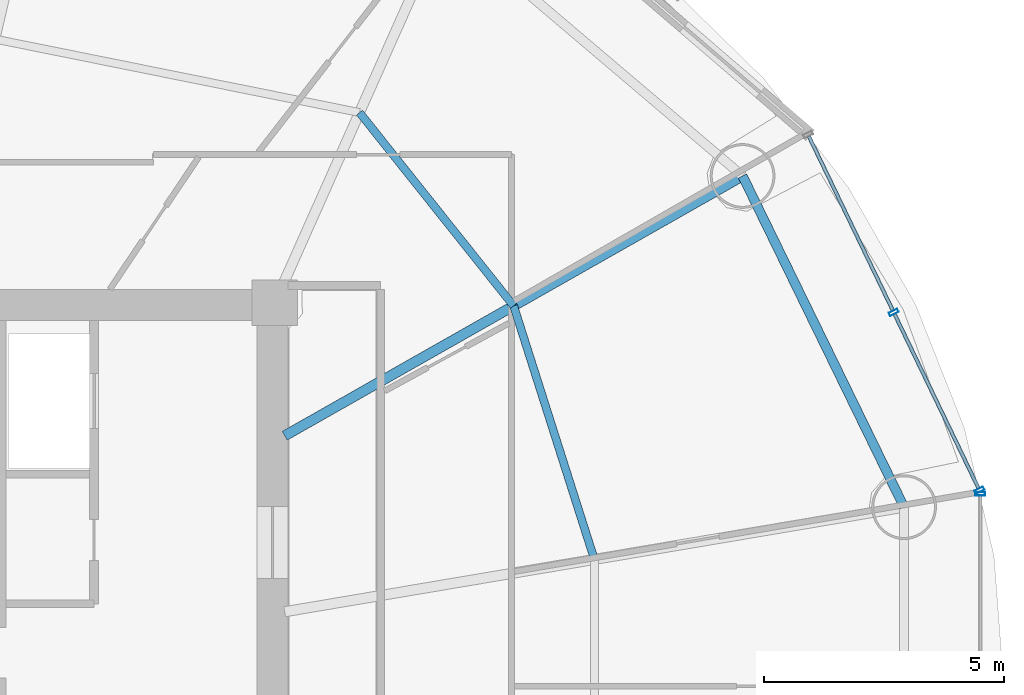
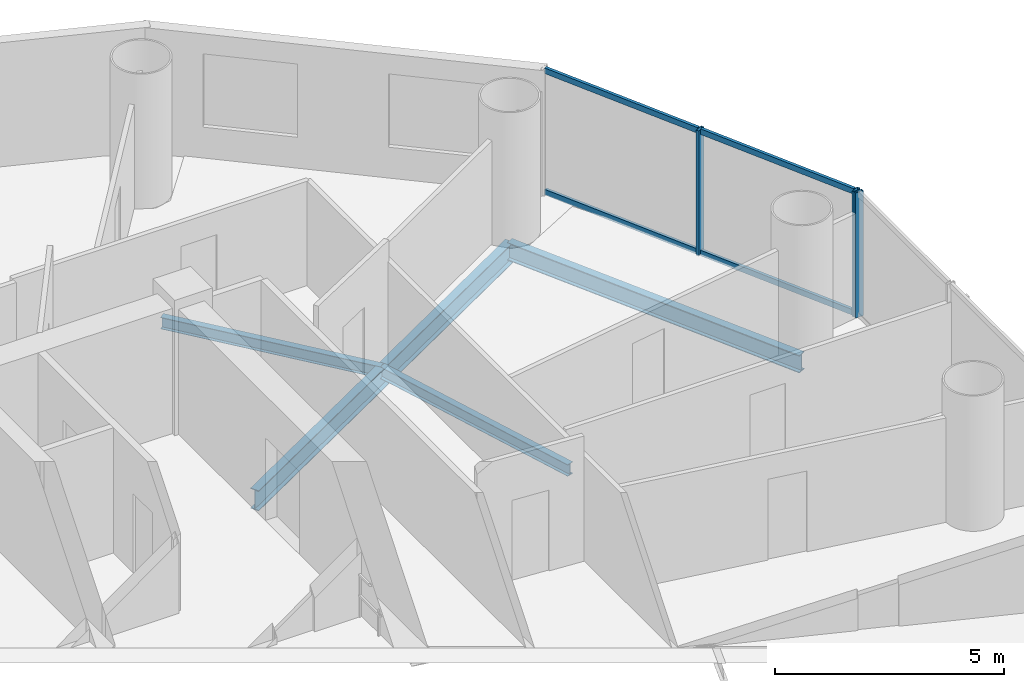
# One storey, part 12 of 26: 7 members, 4 beams, 2 elements without a shape of their own.
"""IFC4 building model written with IfcOpenShell, lengths in metres."""

from ifc_helpers import new_model, si_unit, direction, frame, origin, origin_2d, place, context, subcontext, project, spatial, hollow_rectangle, i_section, extrude, source, transform, mapped, material, material_profile, profile_set, type_object, element, aggregate, save


model = new_model("IFC4")

# Units and contexts
model_context = context("Model", 3, precision=1e-05, world=origin(), true_north=direction((-0.2419218956, 0.970295726276)))
body_context = subcontext(model_context, "Body", "Model", "MODEL_VIEW")
ifc_project = project(units=[si_unit("LENGTHUNIT", "METRE"), si_unit("AREAUNIT", "SQUARE_METRE"), si_unit("VOLUMEUNIT", "CUBIC_METRE"), si_unit("PLANEANGLEUNIT", "RADIAN"), si_unit("MASSUNIT", "GRAM", prefix="KILO")], contexts=[model_context])

# Site, building, storey
site_placement = place(None, origin())
site = spatial("IfcSite", under=ifc_project, at=site_placement, CompositionType="ELEMENT")
building_placement = place(site_placement, origin())
building = spatial("IfcBuilding", under=site, at=building_placement, Name="Cobrevalo Terracotta Tower", CompositionType="ELEMENT")
storey_placement = place(building_placement, frame((0.0, 0.0, 175.0)))
storey = spatial("IfcBuildingStorey", under=building, at=storey_placement, Name="L46", CompositionType="ELEMENT", Elevation=175.0)

# Beams
ifc_material_1 = material(Name="Steel S355", Category="steel")
ifc_material_profile_1 = material_profile(ifc_material_1, i_section(OverallWidth=0.2109375, OverallDepth=0.5390625, WebThickness=0.01171875, FlangeThickness=0.018798828125, at=origin_2d()), Name="W 530x109")
ifc_profile_set_1 = profile_set([ifc_material_profile_1], Name="Steel S355")
beam_type_1 = type_object("IfcBeamType", Name="Structural Beam W 530x109 (Steel S355)", PredefinedType="BEAM", material=ifc_profile_set_1)
beam_1_placement = place(storey_placement, frame((56.749755859375, 37.439208984375, -0.53955078125), z_axis=(-0.869734177783, -0.493520475762, 0.0), x_axis=(0.493520475762, -0.869734177783, 0.0)))
element("IfcBeam", 1, at=beam_1_placement, inside=storey, type_object=beam_type_1, Name="L46 radial floor girder 02", PredefinedType="BEAM", context=body_context, shape_type="SweptSolid", body=[
    extrude(i_section(OverallWidth=0.2109375, OverallDepth=0.5390625, WebThickness=0.01171875, FlangeThickness=0.018798828125, at=origin_2d()), origin(), (0.0, 0.0, 1.0), 10.974365234375),
])
ifc_material_profile_2 = material_profile(ifc_material_1, i_section(OverallWidth=0.1650390625, OverallDepth=0.31005859375, WebThickness=0.005859375, FlangeThickness=0.009765625, at=origin_2d()), Name="W 310x38.7")
ifc_profile_set_2 = profile_set([ifc_material_profile_2], Name="Steel S355")
beam_type_2 = type_object("IfcBeamType", Name="Structural Joist W 310x38.7 (Steel S355)", PredefinedType="JOIST", material=ifc_profile_set_2)
beam_2_placement = place(storey_placement, frame((53.660888671875, 29.445556640625, -0.425048828125), z_axis=(-0.303497928386, 0.952832098255, 0.0), x_axis=(-0.952832098255, -0.303497928386, 0.0)))
element("IfcBeam", 2, at=beam_2_placement, inside=storey, type_object=beam_type_2, Name="L46 circumferential secondary floor joist 01", PredefinedType="JOIST", context=body_context, shape_type="SweptSolid", body=[
    extrude(i_section(OverallWidth=0.1650390625, OverallDepth=0.31005859375, WebThickness=0.005859375, FlangeThickness=0.009765625, at=origin_2d()), origin(), (0.0, 0.0, 1.0), 5.54736328125),
])
beam_3_placement = place(storey_placement, frame((51.977294921875, 34.731201171875, -0.425048828125), z_axis=(-0.62340602772, 0.781898282773, 0.0), x_axis=(-0.781898282773, -0.62340602772, 0.0)))
element("IfcBeam", 3, at=beam_3_placement, inside=storey, type_object=beam_type_2, Name="L46 circumferential secondary floor joist 02", PredefinedType="JOIST", context=body_context, shape_type="SweptSolid", body=[
    extrude(i_section(OverallWidth=0.1650390625, OverallDepth=0.31005859375, WebThickness=0.005859375, FlangeThickness=0.009765625, at=origin_2d()), origin(), (0.0, 0.0, 1.0), 5.154052734375),
])
ifc_material_profile_3 = material_profile(ifc_material_1, i_section(OverallWidth=0.194091796875, OverallDepth=0.468994140625, WebThickness=0.011474609375, FlangeThickness=0.0205078125, at=origin_2d()), Name="W 460x106")
ifc_profile_set_3 = profile_set([ifc_material_profile_3], Name="Steel S355")
beam_type_3 = type_object("IfcBeamType", Name="Structural Spandrel W 460x106 (Steel S355)", PredefinedType="SPANDREL", material=ifc_profile_set_3)
beam_4_placement = place(storey_placement, frame((60.11669921875, 30.535888671875, -0.50439453125), z_axis=(-0.438367894028, 0.89879563277, 0.0), x_axis=(-0.89879563277, -0.438367894028, 0.0)))
element("IfcBeam", 4, at=beam_4_placement, inside=storey, type_object=beam_type_3, Name="L46 perimeter ring spandrel 01", PredefinedType="SPANDREL", context=body_context, shape_type="SweptSolid", body=[
    extrude(i_section(OverallWidth=0.194091796875, OverallDepth=0.468994140625, WebThickness=0.011474609375, FlangeThickness=0.0205078125, at=origin_2d()), origin(), (0.0, 0.0, 1.0), 7.6806640625),
])

# Curtain wall, members
ifc_material_2 = material(Name="Anodized aluminium", Category="aluminium")
curtain_wall_type = type_object("IfcCurtainWallType", Name="Mid-tower high-wind unitised curtain wall CW-U2", PredefinedType="NOTDEFINED", material=ifc_material_2)
curtain_wall_1_placement = place(storey_placement, origin())
curtain_wall_1 = element("IfcCurtainWall", 5, at=curtain_wall_1_placement, inside=storey, type_object=curtain_wall_type, Name="L46 curtain wall CW-L46-S01", PredefinedType="NOTDEFINED")
ifc_material_profile_4 = material_profile(ifc_material_2, hollow_rectangle(XDim=0.074951171875, YDim=0.199951171875, WallThickness=0.0048828125, at=origin_2d()), Name="CWM 75x200")
ifc_profile_set_4 = profile_set([ifc_material_profile_4], Name="Anodized aluminium")
member_type_1 = type_object("IfcMemberType", Name="Lower/mid tower unitised mullion 75x200", PredefinedType="MULLION", material=ifc_profile_set_4)
shared_shape_1 = source(origin(), body_context, "Body", "SweptSolid", [
    extrude(hollow_rectangle(XDim=0.074951171875, YDim=0.199951171875, WallThickness=0.0048828125, at=origin_2d()), origin(), (0.0, 0.0, 1.0), 3.330078125),
])
member_1_placement = place(storey_placement, frame((61.688232421875, 30.887939453125, 0.0), z_axis=(0.0, 0.0, 1.0), x_axis=(-0.434209440271, 0.900811945957, 0.0)))
member_1 = element("IfcMember", 6, at=member_1_placement, type_object=member_type_1, Name="CW-L46-S01 vertical mullion 01", PredefinedType="MULLION", context=body_context, shape_type="MappedRepresentation", body=[
    mapped(shared_shape_1, transform((0.0, 0.0, 0.0), scale=1.0)),
])
member_2_placement = place(storey_placement, frame((59.901123046875, 34.595703125, 0.0), z_axis=(0.0, 0.0, 1.0), x_axis=(-0.434209440271, 0.900811945957, 0.0)))
member_2 = element("IfcMember", 7, at=member_2_placement, type_object=member_type_1, Name="CW-L46-S01 vertical mullion 02", PredefinedType="MULLION", context=body_context, shape_type="MappedRepresentation", body=[
    mapped(shared_shape_1, transform((0.0, 0.0, 0.0), scale=1.0)),
])

# Curtain wall, member
curtain_wall_2_placement = place(storey_placement, origin())
curtain_wall_2 = element("IfcCurtainWall", 8, at=curtain_wall_2_placement, inside=storey, type_object=curtain_wall_type, Name="L46 curtain wall CW-L46-S16", PredefinedType="NOTDEFINED")
member_3_placement = place(storey_placement, frame((61.70556640625, 30.81201171875, 0.0), z_axis=(0.0, 0.0, 1.0), x_axis=(0.0, 1.0, 0.0)))
member_3 = element("IfcMember", 9, at=member_3_placement, type_object=member_type_1, Name="CW-L46-S16 vertical mullion 03", PredefinedType="MULLION", context=body_context, shape_type="MappedRepresentation", body=[
    mapped(shared_shape_1, transform((0.0, 0.0, 0.0), scale=1.0)),
])
aggregate(curtain_wall_2, [member_3])

# Member
ifc_material_profile_5 = material_profile(ifc_material_2, hollow_rectangle(XDim=0.074951171875, YDim=0.14990234375, WallThickness=0.00439453125, at=origin_2d()), Name="CWT 75x150")
ifc_profile_set_5 = profile_set([ifc_material_profile_5], Name="Anodized aluminium")
member_type_2 = type_object("IfcMemberType", Name="Tower unitised aluminium transom 75x150", PredefinedType="USERDEFINED", material=ifc_profile_set_5)
shared_shape_2 = source(origin(), body_context, "Body", "SweptSolid", [
    extrude(hollow_rectangle(XDim=0.074951171875, YDim=0.14990234375, WallThickness=0.00439453125, at=origin_2d()), origin(), (0.0, 0.0, 1.0), 4.035888671875),
])
member_4_placement = place(storey_placement, frame((61.6708984375, 30.924072265625, 0.050048828125), z_axis=(-0.434221176581, 0.900806288726, 0.0), x_axis=(-0.900806288726, -0.434221176581, 0.0)))
member_4 = element("IfcMember", 10, at=member_4_placement, type_object=member_type_2, Name="CW-L46-S01 transom B01-T1", ObjectType="TRANSOM", PredefinedType="USERDEFINED", context=body_context, shape_type="MappedRepresentation", body=[
    mapped(shared_shape_2, transform((0.0, 0.0, 0.0), scale=1.0)),
])

member_5_placement = place(storey_placement, frame((61.6708984375, 30.924072265625, 3.280029296875), z_axis=(-0.434221176581, 0.900806288726, 0.0), x_axis=(-0.900806288726, -0.434221176581, 0.0)))
member_5 = element("IfcMember", 11, at=member_5_placement, type_object=member_type_2, Name="CW-L46-S01 transom B01-T2", ObjectType="TRANSOM", PredefinedType="USERDEFINED", context=body_context, shape_type="MappedRepresentation", body=[
    mapped(shared_shape_2, transform((0.0, 0.0, 0.0), scale=1.0)),
])

member_6_placement = place(storey_placement, frame((59.8837890625, 34.631591796875, 0.050048828125), z_axis=(-0.434221176581, 0.900806288726, 0.0), x_axis=(-0.900806288726, -0.434221176581, 0.0)))
member_6 = element("IfcMember", 12, at=member_6_placement, type_object=member_type_2, Name="CW-L46-S01 transom B02-T1", ObjectType="TRANSOM", PredefinedType="USERDEFINED", context=body_context, shape_type="MappedRepresentation", body=[
    mapped(shared_shape_2, transform((0.0, 0.0, 0.0), scale=1.0)),
])

member_7_placement = place(storey_placement, frame((59.8837890625, 34.631591796875, 3.280029296875), z_axis=(-0.434221176581, 0.900806288726, 0.0), x_axis=(-0.900806288726, -0.434221176581, 0.0)))
member_7 = element("IfcMember", 13, at=member_7_placement, type_object=member_type_2, Name="CW-L46-S01 transom B02-T2", ObjectType="TRANSOM", PredefinedType="USERDEFINED", context=body_context, shape_type="MappedRepresentation", body=[
    mapped(shared_shape_2, transform((0.0, 0.0, 0.0), scale=1.0)),
])

aggregate(curtain_wall_1, [member_1, member_2, member_4, member_5, member_6, member_7])

save(model, "model.ifc")
